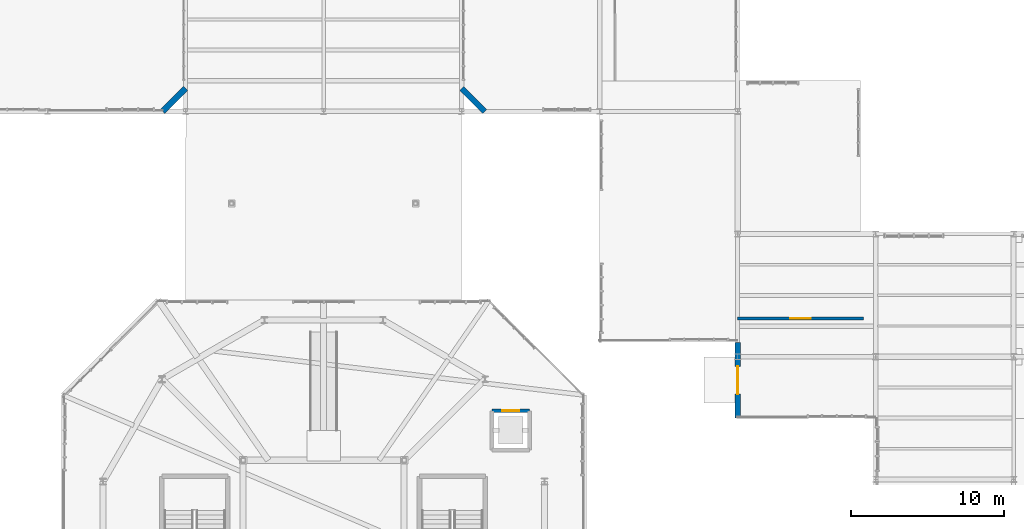
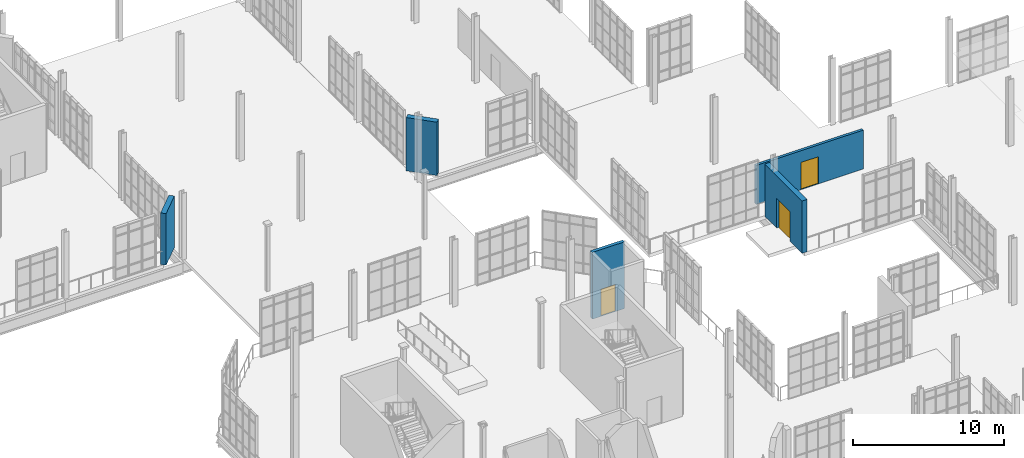
# One storey, part 174 of 189: 5 walls, 3 doors, 3 openings.
"""IFC4 building model written with IfcOpenShell, lengths in metres."""

from ifc_helpers import new_model, si_unit, direction, frame, frame_2d, origin, place, context, subcontext, project, spatial, rectangle, extrude, material, layer, layer_set, type_object, element, fill, save


model = new_model("IFC4")

# Units and contexts
model_context = context("Model", 3, precision=1e-05, world=origin(), true_north=direction((0.0, 1.0)))
body_context = subcontext(model_context, "Body", "Model", "MODEL_VIEW")
ifc_project = project(units=[si_unit("LENGTHUNIT", "METRE"), si_unit("AREAUNIT", "SQUARE_METRE"), si_unit("VOLUMEUNIT", "CUBIC_METRE"), si_unit("PLANEANGLEUNIT", "RADIAN"), si_unit("MASSUNIT", "GRAM", prefix="KILO"), si_unit("THERMODYNAMICTEMPERATUREUNIT", "KELVIN"), si_unit("POWERUNIT", "WATT")], contexts=[model_context])

# Site, building, storey
site_placement = place(None, origin())
site = spatial("IfcSite", under=ifc_project, at=site_placement, CompositionType="ELEMENT")
building_placement = place(site_placement, origin())
building = spatial("IfcBuilding", under=site, at=building_placement, Name="Zelmaris Science Centre", CompositionType="ELEMENT")
storey_placement = place(building_placement, origin())
storey = spatial("IfcBuildingStorey", under=building, at=storey_placement, Name="L00", CompositionType="ELEMENT", Elevation=0.0)

# Wall, opening, door
ifc_material_1 = material(Name="Concrete C40/50", Category="concrete")
ifc_layer_1 = layer(ifc_material_1, 0.25, Name="Concrete C40/50")
ifc_layer_set_1 = layer_set([ifc_layer_1], Name="Concrete C40/50")
wall_type_1 = type_object("IfcWallType", Name="Core Shear Wall CW-S2 250mm", PredefinedType="SOLIDWALL", material=ifc_layer_set_1)
wall_1_placement = place(storey_placement, frame((94.425048828125, 44.47509765625, 0.0), z_axis=(0.0, 0.0, 1.0), x_axis=(-1.0, 0.0, 0.0)))
wall_1 = element("IfcWall", 1, at=wall_1_placement, inside=storey, type_object=wall_type_1, Name="L00 LP-01 lift shaft wall +y", PredefinedType="SOLIDWALL", context=body_context, shape_type="SweptSolid", body=[
    extrude(rectangle(XDim=2.449951171875, YDim=0.25, at=frame_2d((1.22509765625, 0.0))), origin(), (0.0, 0.0, 1.0), 5.39990234375),
])
opening_1_placement = place(wall_1_placement, frame((0.675048828125, 0.0, 0.0)))
opening_1 = element("IfcOpeningElement", 2, at=opening_1_placement, cuts=wall_1, Name="Opening LD-01", PredefinedType="OPENING", context=body_context, shape_type="SweptSolid", body=[
    extrude(rectangle(XDim=1.10009765625, YDim=2.199951171875, at=frame_2d((0.550048828125, 1.10009765625))), frame((0.0, 0.135009765625, 0.0), z_axis=(0.0, -1.0, 0.0), x_axis=(1.0, 0.0, 0.0)), (0.0, 0.0, 1.0), 0.27001953125),
])
ifc_material_2 = material(Name="Steel ASTM A36", Category="steel")
door_type_1 = type_object("IfcDoorType", Name="Interior Door LD-01 1100x2200", OperationType="SLIDING_TO_LEFT", PredefinedType="DOOR", material=ifc_material_2)
door_1_placement = place(opening_1_placement, origin())
door_1 = element("IfcDoor", 3, at=door_1_placement, inside=storey, type_object=door_type_1, Name="Landing door LD-LP-01-L00", OperationType="SLIDING_TO_LEFT", OverallHeight=2.199951171875, OverallWidth=1.10009765625, PredefinedType="DOOR", context=body_context, shape_type="SweptSolid", body=[
    extrude(rectangle(XDim=1.10009765625, YDim=2.199951171875, at=frame_2d((0.550048828125, 1.10009765625))), frame((0.0, 0.02490234375, 0.0), z_axis=(0.0, -1.0, 0.0), x_axis=(1.0, 0.0, 0.0)), (0.0, 0.0, 1.0), 0.050048828125),
])
fill(opening_1, door_1)

# Wall
ifc_material_3 = material(Name="Yucatan limestone ashlar masonry", Category="masonry")
ifc_layer_2 = layer(ifc_material_3, 0.3798828125, Name="Yucatan limestone ashlar masonry")
ifc_layer_set_2 = layer_set([ifc_layer_2], Name="Yucatan limestone ashlar masonry")
wall_type_2 = type_object("IfcWallType", Name="Exterior Wall EW-01 380mm", PredefinedType="SOLIDWALL", material=ifc_layer_set_2)
wall_2_placement = place(storey_placement, frame((72.0, 65.5, 0.0), z_axis=(0.0, 0.0, 1.0), x_axis=(-0.707106781187, -0.707106781187, 0.0)))
element("IfcWall", 4, at=wall_2_placement, inside=storey, type_object=wall_type_2, Name="L00 Exterior wall 10", PredefinedType="SOLIDWALL", context=body_context, shape_type="SweptSolid", body=[
    extrude(rectangle(XDim=2.121337890625, YDim=0.3798828125, at=frame_2d((1.060546875, 0.0))), origin(), (0.0, 0.0, 1.0), 4.1708984375),
])

# Wall, opening, door
wall_3_placement = place(storey_placement, frame((108.0, 44.0, 0.0), z_axis=(0.0, 0.0, 1.0), x_axis=(0.0, 1.0, 0.0)))
wall_3 = element("IfcWall", 5, at=wall_3_placement, inside=storey, type_object=wall_type_2, Name="L00 Exterior wall 17", PredefinedType="SOLIDWALL", context=body_context, shape_type="SweptSolid", body=[
    extrude(rectangle(XDim=4.93994140625, YDim=0.3798828125, at=frame_2d((2.469970703125, 0.0))), origin(), (0.0, 0.0, 1.0), 4.22412109375),
])
opening_2_placement = place(wall_3_placement, frame((1.570068359375, 0.0, 0.0)))
opening_2 = element("IfcOpeningElement", 6, at=opening_2_placement, cuts=wall_3, Name="Opening D-EX1", PredefinedType="OPENING", context=body_context, shape_type="SweptSolid", body=[
    extrude(rectangle(XDim=1.800048828125, YDim=2.39990234375, at=frame_2d((0.89990234375, 1.199951171875))), frame((0.0, 0.199951171875, 0.0), z_axis=(0.0, -1.0, 0.0), x_axis=(1.0, 0.0, 0.0)), (0.0, 0.0, 1.0), 0.39990234375),
])
ifc_material_4 = material(Name="Architectural bronze alloy C28000")
door_type_2 = type_object("IfcDoorType", Name="Exterior Door D-EX1 1800x2400", OperationType="NOTDEFINED", PredefinedType="DOOR", material=ifc_material_4)
door_2_placement = place(opening_2_placement, origin())
door_2 = element("IfcDoor", 7, at=door_2_placement, inside=storey, type_object=door_type_2, Name="Main entrance exit E07", OperationType="SINGLE_SWING_LEFT", OverallHeight=2.39990234375, OverallWidth=1.800048828125, PredefinedType="DOOR", context=body_context, shape_type="SweptSolid", body=[
    extrude(rectangle(XDim=1.800048828125, YDim=2.39990234375, at=frame_2d((0.89990234375, 1.199951171875))), frame((0.0, 0.02490234375, 0.0), z_axis=(0.0, -1.0, 0.0), x_axis=(1.0, 0.0, 0.0)), (0.0, 0.0, 1.0), 0.050048828125),
])
fill(opening_2, door_2)

# Wall
wall_4_placement = place(storey_placement, frame((91.5, 64.0, 0.0), z_axis=(0.0, 0.0, 1.0), x_axis=(-0.707106781187, 0.707106781187, 0.0)))
element("IfcWall", 8, at=wall_4_placement, inside=storey, type_object=wall_type_2, Name="L00 Exterior wall 18", PredefinedType="SOLIDWALL", context=body_context, shape_type="SweptSolid", body=[
    extrude(rectangle(XDim=2.121337890625, YDim=0.3798828125, at=frame_2d((1.060546875, 0.0))), origin(), (0.0, 0.0, 1.0), 4.30810546875),
])

# Wall, opening, door
ifc_material_5 = material(Name="Autoclaved aerated concrete blockwork", Category="masonry")
ifc_layer_3 = layer(ifc_material_5, 0.199951171875, Name="Autoclaved aerated concrete blockwork")
ifc_layer_set_3 = layer_set([ifc_layer_3], Name="Autoclaved aerated concrete blockwork")
wall_type_3 = type_object("IfcWallType", Name="Interior Wall FW-01 200mm", PredefinedType="SOLIDWALL", material=ifc_layer_set_3)
wall_5_placement = place(storey_placement, frame((108.0, 50.5, 0.0), z_axis=(0.0, 0.0, 1.0), x_axis=(1.0, 0.0, 0.0)))
wall_5 = element("IfcWall", 9, at=wall_5_placement, inside=storey, type_object=wall_type_3, Name="L00 Fire Command Centre partition 33", PredefinedType="SOLIDWALL", context=body_context, shape_type="SweptSolid", body=[
    extrude(rectangle(XDim=8.199951171875, YDim=0.199951171875, at=frame_2d((4.10009765625, 0.0))), origin(), (0.0, 0.0, 1.0), 3.14990234375),
])
opening_3_placement = place(wall_5_placement, frame((3.425048828125, 0.0, 0.0)))
opening_3 = element("IfcOpeningElement", 10, at=opening_3_placement, cuts=wall_5, Name="Opening D-IN7", PredefinedType="OPENING", context=body_context, shape_type="SweptSolid", body=[
    extrude(rectangle(XDim=1.35009765625, YDim=2.199951171875, at=frame_2d((0.675048828125, 1.10009765625))), frame((0.0, 0.10986328125, 0.0), z_axis=(0.0, -1.0, 0.0), x_axis=(1.0, 0.0, 0.0)), (0.0, 0.0, 1.0), 0.219970703125),
])
ifc_material_6 = material(Name="Solid tropical tzalam hardwood", Category="wood")
door_type_3 = type_object("IfcDoorType", Name="Interior Door D-IN7 1350x2200", OperationType="NOTDEFINED", PredefinedType="DOOR", material=ifc_material_6)
door_3_placement = place(opening_3_placement, origin())
door_3 = element("IfcDoor", 11, at=door_3_placement, inside=storey, type_object=door_type_3, Name="L00 Fire Command Centre door", OperationType="SINGLE_SWING_LEFT", OverallHeight=2.199951171875, OverallWidth=1.35009765625, PredefinedType="DOOR", context=body_context, shape_type="SweptSolid", body=[
    extrude(rectangle(XDim=1.35009765625, YDim=2.199951171875, at=frame_2d((0.675048828125, 1.10009765625))), frame((0.0, 0.02490234375, 0.0), z_axis=(0.0, -1.0, 0.0), x_axis=(1.0, 0.0, 0.0)), (0.0, 0.0, 1.0), 0.050048828125),
])
fill(opening_3, door_3)

save(model, "model.ifc")
